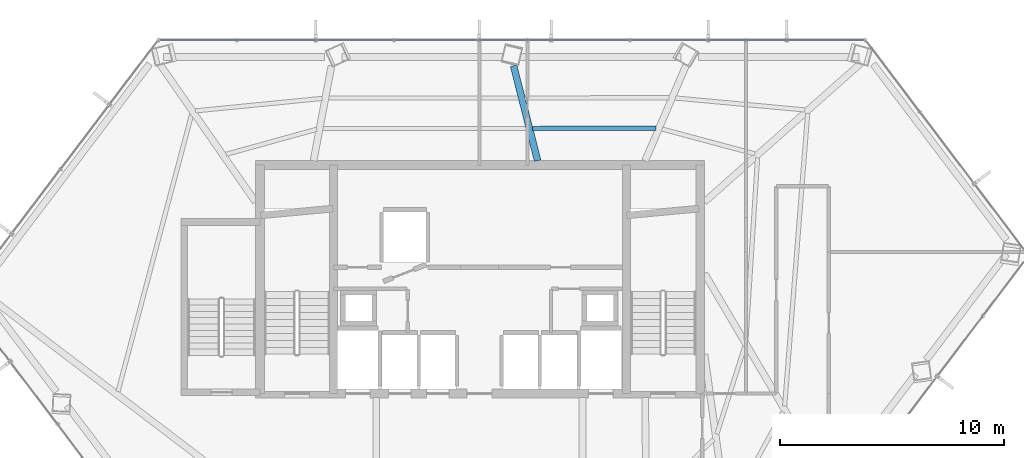
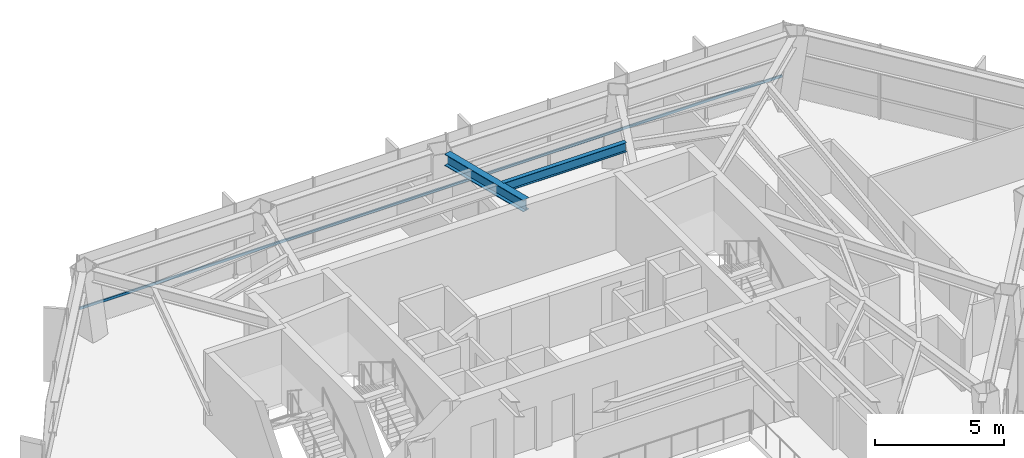
# One storey, part 15 of 28: 2 beams, 1 member, 1 element without a shape of its own.
"""IFC4 building model written with IfcOpenShell, lengths in metres."""

from ifc_helpers import new_model, si_unit, direction, frame, origin, origin_2d, place, context, subcontext, project, spatial, hollow_rectangle, i_section, extrude, material, layer, layer_set, material_profile, profile_set, type_object, element, aggregate, save


model = new_model("IFC4")

# Units and contexts
model_context = context("Model", 3, precision=1e-05, world=origin(), true_north=direction((0.0, 1.0)))
body_context = subcontext(model_context, "Body", "Model", "MODEL_VIEW")
ifc_project = project(units=[si_unit("LENGTHUNIT", "METRE"), si_unit("AREAUNIT", "SQUARE_METRE"), si_unit("VOLUMEUNIT", "CUBIC_METRE"), si_unit("PLANEANGLEUNIT", "RADIAN"), si_unit("MASSUNIT", "GRAM", prefix="KILO")], contexts=[model_context])

# Site, building, storey
site_placement = place(None, origin())
site = spatial("IfcSite", under=ifc_project, at=site_placement, CompositionType="ELEMENT")
building_placement = place(site_placement, origin())
building = spatial("IfcBuilding", under=site, at=building_placement, Name="Zarrinselat Tower", CompositionType="ELEMENT")
storey_placement = place(building_placement, frame((0.0, 0.0, 153.340087890625)))
storey = spatial("IfcBuildingStorey", under=building, at=storey_placement, Name="L37", CompositionType="ELEMENT", Elevation=153.340087890625)

# Beams
ifc_material_1 = material(Name="Steel S355J2", Category="steel")
ifc_material_profile_1 = material_profile(ifc_material_1, i_section(OverallWidth=0.300048828125, OverallDepth=0.550048828125, WebThickness=0.014892578125, FlangeThickness=0.029052734375, at=origin_2d()), Name="HEB 550")
ifc_profile_set_1 = profile_set([ifc_material_profile_1], Name="Steel S355J2")
beam_type_1 = type_object("IfcBeamType", Name="BM-HEB550", PredefinedType="BEAM", material=ifc_profile_set_1)
beam_1_placement = place(storey_placement, frame((39.9287109375, 47.876953125, 3.21484375), z_axis=(0.245124146989, -0.969491698037, 0.0), x_axis=(0.969491698037, 0.245124146989, 0.0)))
element("IfcBeam", 1, at=beam_1_placement, inside=storey, type_object=beam_type_1, Name="L37 Radial Primary Girder RG03", PredefinedType="BEAM", context=body_context, shape_type="SweptSolid", body=[
    extrude(i_section(OverallWidth=0.300048828125, OverallDepth=0.550048828125, WebThickness=0.014892578125, FlangeThickness=0.029052734375, at=origin_2d()), origin(), (0.0, 0.0, 1.0), 4.370361328125),
])
ifc_material_2 = material(Name="Steel S355J2", Category="steel")
ifc_material_profile_2 = material_profile(ifc_material_2, i_section(OverallWidth=0.18994140625, OverallDepth=0.449951171875, WebThickness=0.009521484375, FlangeThickness=0.0146484375, at=origin_2d()), Name="IPE 450")
ifc_profile_set_2 = profile_set([ifc_material_profile_2], Name="Steel S355J2")
beam_type_2 = type_object("IfcBeamType", Name="BM-IPE450", PredefinedType="JOIST", material=ifc_profile_set_2)
beam_2_placement = place(storey_placement, frame((40.775634765625, 45.080810546875, 3.264892578125), z_axis=(0.999999283317, 0.001197232203, 0.0), x_axis=(-0.001197232203, 0.999999283317, 0.0)))
element("IfcBeam", 2, at=beam_2_placement, inside=storey, type_object=beam_type_2, Name="L37 Composite Floor Joist 6-2", PredefinedType="JOIST", context=body_context, shape_type="SweptSolid", body=[
    extrude(i_section(OverallWidth=0.18994140625, OverallDepth=0.449951171875, WebThickness=0.009521484375, FlangeThickness=0.0146484375, at=origin_2d()), origin(), (0.0, 0.0, 1.0), 5.505859375),
])

# Curtain wall, member
ifc_material_3 = material(Name="Extruded Aluminium Alloy EN AW-6063 T6", Category="aluminium")
ifc_layer = layer(ifc_material_3, 0.175048828125)
ifc_layer_set = layer_set([ifc_layer], Name="Extruded Aluminium Alloy EN AW-6063 T6")
curtain_wall_type = type_object("IfcCurtainWallType", Name="CWS-HTL", PredefinedType="NOTDEFINED", material=ifc_layer_set)
curtain_wall_placement = place(storey_placement, origin())
curtain_wall = element("IfcCurtainWall", 3, at=curtain_wall_placement, inside=storey, type_object=curtain_wall_type, Name="L37 Unitised Curtain Wall CW-L37-E01", PredefinedType="NOTDEFINED")
ifc_material_4 = material(Name="Extruded Aluminium Alloy EN AW-6063 T6", Category="aluminium")
ifc_material_profile_3 = material_profile(ifc_material_4, hollow_rectangle(XDim=0.06005859375, YDim=0.1201171875, WallThickness=0.00390625, at=origin_2d()), Name="RHS 120x60x4")
ifc_profile_set_3 = profile_set([ifc_material_profile_3], Name="Extruded Aluminium Alloy EN AW-6063 T6")
member_type = type_object("IfcMemberType", Name="MEM-CW-TRN2", PredefinedType="USERDEFINED", material=ifc_profile_set_3)
member_placement = place(storey_placement, frame((55.542724609375, 49.033203125, 0.949951171875), z_axis=(-1.0, 0.0, 0.0), x_axis=(0.0, -1.0, 0.0)))
member = element("IfcMember", 4, at=member_placement, type_object=member_type, Name="CW-L37-E01 Transom 1", ObjectType="TRANSOM", PredefinedType="USERDEFINED", context=body_context, shape_type="SweptSolid", body=[
    extrude(hollow_rectangle(XDim=0.06005859375, YDim=0.1201171875, WallThickness=0.00390625, at=origin_2d()), origin(), (0.0, 0.0, 1.0), 31.370849609375),
])
aggregate(curtain_wall, [member])

save(model, "model.ifc")
